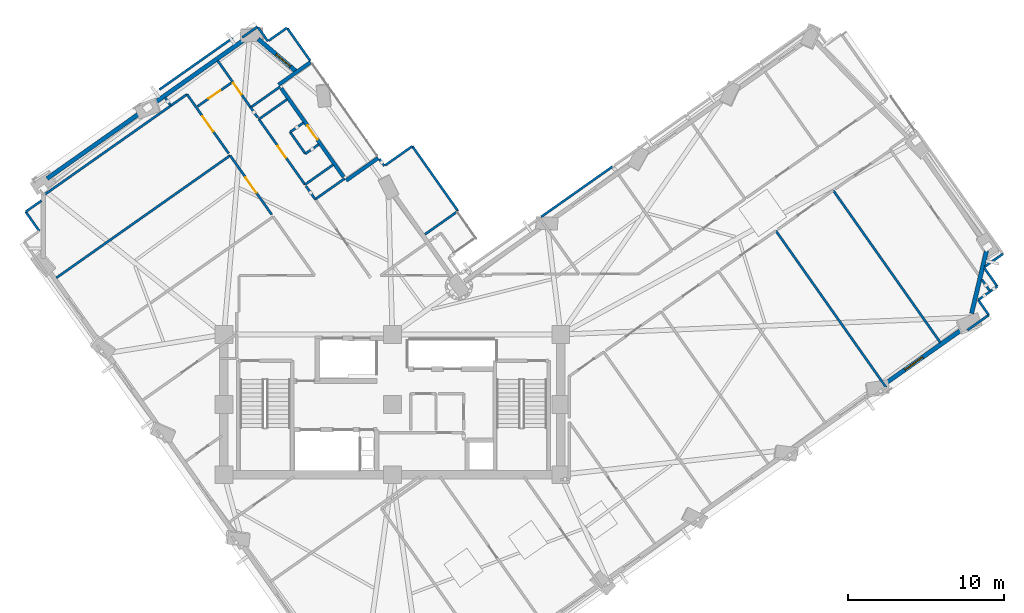
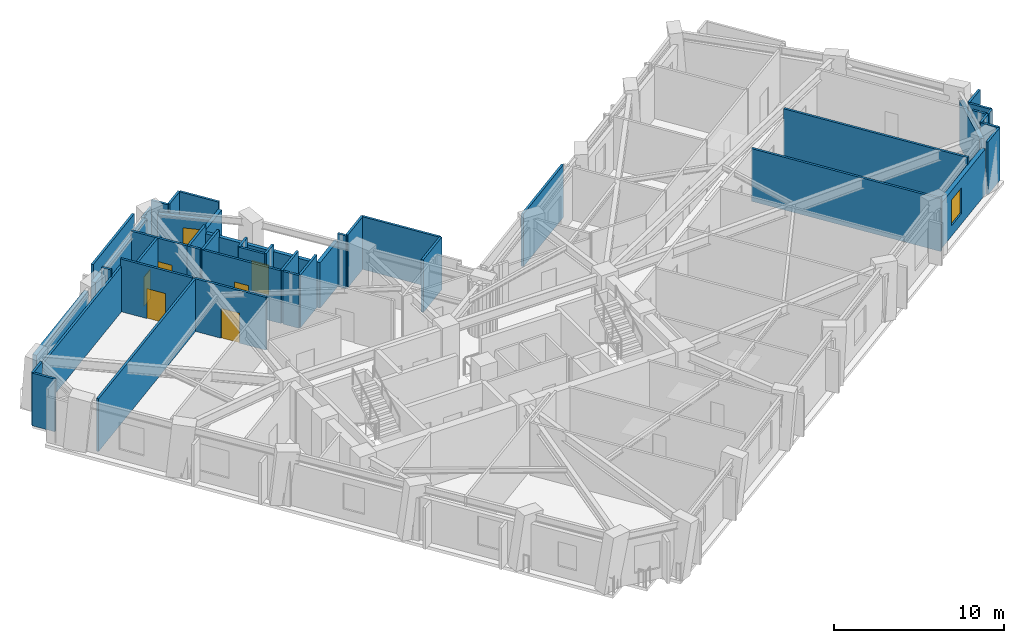
# One storey, part 7 of 13: 46 walls, 6 doors, 2 windows, 8 openings.
"""IFC4 building model written with IfcOpenShell, lengths in metres."""

from ifc_helpers import new_model, si_unit, direction, frame, frame_2d, origin, place, context, subcontext, project, spatial, rectangle, extrude, material, layer, layer_set, type_object, element, fill, save


model = new_model("IFC4")

# Units and contexts
model_context = context("Model", 3, precision=1e-05, world=origin(), true_north=direction((0.0, 1.0)))
body_context = subcontext(model_context, "Body", "Model", "MODEL_VIEW")
ifc_project = project(units=[si_unit("LENGTHUNIT", "METRE"), si_unit("AREAUNIT", "SQUARE_METRE"), si_unit("VOLUMEUNIT", "CUBIC_METRE"), si_unit("PLANEANGLEUNIT", "RADIAN"), si_unit("MASSUNIT", "GRAM", prefix="KILO")], contexts=[model_context])

# Site, building, storey
site_placement = place(None, origin())
site = spatial("IfcSite", under=ifc_project, at=site_placement, CompositionType="ELEMENT")
building_placement = place(site_placement, origin())
building = spatial("IfcBuilding", under=site, at=building_placement, Name="Gaonmaruhae Medical Tower", CompositionType="ELEMENT")
storey_placement = place(building_placement, frame((0.0, 0.0, 173.800048828125)))
storey = spatial("IfcBuildingStorey", under=building, at=storey_placement, Name="L41", CompositionType="ELEMENT", Elevation=173.800048828125)

# Wall, opening, door
ifc_material_1 = material(Name="Precast concrete C45/55", Category="concrete")
ifc_layer_1 = layer(ifc_material_1, 0.239990234375)
ifc_layer_set_1 = layer_set([ifc_layer_1], Name="Precast concrete C45/55")
wall_type_1 = type_object("IfcWallType", Name="EW-240 Ribbon & Shelter Insulated Precast Wall", PredefinedType="SOLIDWALL", material=ifc_layer_set_1)
wall_1_placement = place(storey_placement, frame((17.669921875, 32.59033203125, 0.0), z_axis=(0.0, 0.0, 1.0), x_axis=(0.57573667461, -0.817635176292, 0.0)))
wall_1 = element("IfcWall", 1, at=wall_1_placement, inside=storey, type_object=wall_type_1, Name="L41 Recessed Terrace Enclosure Wall TERB", PredefinedType="SOLIDWALL", context=body_context, shape_type="SweptSolid", body=[
    extrude(rectangle(XDim=6.9599609375, YDim=0.239990234375, at=frame_2d((3.47998046875, 0.0))), origin(), (0.0, 0.0, 1.0), 3.264892578125),
])
opening_1_placement = place(wall_1_placement, frame((2.929931640625, 0.0, 0.0)))
opening_1 = element("IfcOpeningElement", 2, at=opening_1_placement, cuts=wall_1, Name="Opening TD-01", PredefinedType="OPENING", context=body_context, shape_type="SweptSolid", body=[
    extrude(rectangle(XDim=1.10009765625, YDim=2.14990234375, at=frame_2d((0.550048828125, 1.074951171875))), frame((0.0, 0.1298828125, 0.0), z_axis=(0.0, -1.0, 0.0), x_axis=(1.0, 0.0, 0.0)), (0.0, 0.0, 1.0), 0.260009765625),
])
ifc_material_2 = material(Name="Anodised aluminium and toughened safety glass", Category="aluminium")
door_type_1 = type_object("IfcDoorType", Name="TD-01 Terrace & Sky Garden Glazed Door 1100x2150", OperationType="NOTDEFINED", PredefinedType="DOOR", material=ifc_material_2)
door_1_placement = place(opening_1_placement, origin())
door_1 = element("IfcDoor", 3, at=door_1_placement, inside=storey, type_object=door_type_1, Name="L41 Outdoor Terrace Access Door SLB-L41-TER", OperationType="SINGLE_SWING_LEFT", OverallHeight=2.14990234375, OverallWidth=1.10009765625, PredefinedType="DOOR", context=body_context, shape_type="SweptSolid", body=[
    extrude(rectangle(XDim=1.10009765625, YDim=2.14990234375, at=frame_2d((0.550048828125, 1.074951171875))), frame((0.0, 0.02490234375, 0.0), z_axis=(0.0, -1.0, 0.0), x_axis=(1.0, 0.0, 0.0)), (0.0, 0.0, 1.0), 0.050048828125),
])
fill(opening_1, door_1)

# Walls
for number, where, z_axis, x_axis, name in (
    (4, (21.838134765625, 26.670654296875, 0.0), (0.0, 0.0, 1.0), (0.817627652567, 0.575747359314, 0.0), "L41 Recessed Terrace Enclosure Wall TERL"),
    (5, (19.552978515625, 34.2587890625, 0.0), (0.0, 0.0, 1.0), (-0.817627652567, -0.575747359314, 0.0), "L41 Recessed Terrace Enclosure Wall TERR"),
):
    element("IfcWall", number, at=place(storey_placement, frame(where, z_axis=z_axis, x_axis=x_axis)), inside=storey, type_object=wall_type_1, Name=name, PredefinedType="SOLIDWALL", context=body_context, shape_type="SweptSolid", body=[
        extrude(rectangle(XDim=2.500244140625, YDim=0.239990234375, at=frame_2d((1.25, 0.0))), origin(), (0.0, 0.0, 1.0), 3.264892578125),
    ])

# Wall, opening, window
ifc_layer_2 = layer(ifc_material_1, 0.280029296875)
ifc_layer_set_2 = layer_set([ifc_layer_2], Name="Precast concrete C45/55")
wall_type_2 = type_object("IfcWallType", Name="EW-280 Upper Precast Masonry-Frame Facade Wall", PredefinedType="SOLIDWALL", material=ifc_layer_set_2)
wall_2_placement = place(storey_placement, frame((61.54638671875, 17.265380859375, 0.0), z_axis=(0.0, 0.0, 1.0), x_axis=(-0.817633903832, -0.575738481695, 0.0)))
wall_2 = element("IfcWall", 6, at=wall_2_placement, inside=storey, type_object=wall_type_2, Name="L41 Precast Masonry-Frame Wall S06-S07", PredefinedType="SOLIDWALL", context=body_context, shape_type="SweptSolid", body=[
    extrude(rectangle(XDim=6.242431640625, YDim=0.280029296875, at=frame_2d((3.12109375, 0.0))), origin(), (0.0, 0.0, 1.0), 3.264892578125),
])
opening_2_placement = place(wall_2_placement, frame((3.342529296875, 0.0, 0.75)))
opening_2 = element("IfcOpeningElement", 7, at=opening_2_placement, cuts=wall_2, Name="Opening WN-03", PredefinedType="OPENING", context=body_context, shape_type="SweptSolid", body=[
    extrude(rectangle(XDim=1.39990234375, YDim=1.85009765625, at=frame_2d((0.699951171875, 0.925048828125))), frame((0.0, 0.14990234375, 0.0), z_axis=(0.0, -1.0, 0.0), x_axis=(1.0, 0.0, 0.0)), (0.0, 0.0, 1.0), 0.300048828125),
])
ifc_material_3 = material(Name="Anodised aluminium and Low-E double glazing", Category="aluminium")
window_type_1 = type_object("IfcWindowType", Name="WN-03 Isolation Ward Punched Window 1400x1850", PartitioningType="SINGLE_PANEL", PredefinedType="WINDOW", material=ifc_material_3)
window_1_placement = place(opening_2_placement, origin())
window_1 = element("IfcWindow", 8, at=window_1_placement, inside=storey, type_object=window_type_1, Name="L41 Modular Facade Window S06", OverallHeight=1.85009765625, OverallWidth=1.39990234375, PartitioningType="SINGLE_PANEL", PredefinedType="WINDOW", context=body_context, shape_type="SweptSolid", body=[
    extrude(rectangle(XDim=1.39990234375, YDim=1.85009765625, at=frame_2d((0.699951171875, 0.925048828125))), frame((0.0, 0.030029296875, 0.0), z_axis=(0.0, -1.0, 0.0), x_axis=(1.0, 0.0, 0.0)), (0.0, 0.0, 1.0), 0.06005859375),
])
fill(opening_2, window_1)

# Wall
wall_3_placement = place(storey_placement, frame((62.913330078125, 22.1806640625, 0.0), z_axis=(0.0, 0.0, 1.0), x_axis=(-0.231822241408, -0.972758165419, 0.0)))
element("IfcWall", 9, at=wall_3_placement, inside=storey, type_object=wall_type_2, Name="L41 Precast Masonry-Frame Wall S07-E01", PredefinedType="SOLIDWALL", context=body_context, shape_type="SweptSolid", body=[
    extrude(rectangle(XDim=4.145263671875, YDim=0.280029296875, at=frame_2d((2.07275390625, 0.0))), origin(), (0.0, 0.0, 1.0), 3.264892578125),
])

# Wall, opening, window
wall_4_placement = place(storey_placement, frame((16.194091796875, 35.749755859375, 0.0), z_axis=(0.0, 0.0, 1.0), x_axis=(0.760757212312, -0.649036565931, 0.0)))
wall_4 = element("IfcWall", 10, at=wall_4_placement, inside=storey, type_object=wall_type_2, Name="L41 Precast Masonry-Frame Wall NE02-N01", PredefinedType="SOLIDWALL", context=body_context, shape_type="SweptSolid", body=[
    extrude(rectangle(XDim=3.234130859375, YDim=0.280029296875, at=frame_2d((1.6171875, 0.0))), origin(), (0.0, 0.0, 1.0), 3.244873046875),
])
opening_3_placement = place(wall_4_placement, frame((1.512451171875, 0.0, 0.75)))
opening_3 = element("IfcOpeningElement", 11, at=opening_3_placement, cuts=wall_4, Name="Opening WN-05", PredefinedType="OPENING", context=body_context, shape_type="SweptSolid", body=[
    extrude(rectangle(XDim=1.199951171875, YDim=1.75, at=frame_2d((0.60009765625, 0.875))), frame((0.0, 0.14990234375, 0.0), z_axis=(0.0, -1.0, 0.0), x_axis=(1.0, 0.0, 0.0)), (0.0, 0.0, 1.0), 0.300048828125),
])
window_type_2 = type_object("IfcWindowType", Name="WN-05 Support & Staff Punched Window 1200x1750", PartitioningType="SINGLE_PANEL", PredefinedType="WINDOW", material=ifc_material_3)
window_2_placement = place(opening_3_placement, origin())
window_2 = element("IfcWindow", 12, at=window_2_placement, inside=storey, type_object=window_type_2, Name="L41 Modular Facade Window NE02", OverallHeight=1.75, OverallWidth=1.199951171875, PartitioningType="SINGLE_PANEL", PredefinedType="WINDOW", context=body_context, shape_type="SweptSolid", body=[
    extrude(rectangle(XDim=1.199951171875, YDim=1.75, at=frame_2d((0.60009765625, 0.875))), frame((0.0, 0.030029296875, 0.0), z_axis=(0.0, -1.0, 0.0), x_axis=(1.0, 0.0, 0.0)), (0.0, 0.0, 1.0), 0.06005859375),
])
fill(opening_3, window_2)

# Walls
wall_5_placement = place(storey_placement, frame((9.374755859375, 31.530517578125, 0.0), z_axis=(0.0, 0.0, 1.0), x_axis=(0.817661605139, 0.575699139726, 0.0)))
element("IfcWall", 13, at=wall_5_placement, inside=storey, type_object=wall_type_2, Name="L41 Precast Masonry-Frame Wall N01-N02", PredefinedType="SOLIDWALL", context=body_context, shape_type="SweptSolid", body=[
    extrude(rectangle(XDim=7.23046875, YDim=0.280029296875, at=frame_2d((3.615234375, 0.0))), origin(), (0.0, 0.0, 1.0), 3.264892578125),
])
wall_6_placement = place(storey_placement, frame((2.650146484375, 26.79541015625, 0.0), z_axis=(0.0, 0.0, 1.0), x_axis=(0.817644825683, 0.575722970737, 0.0)))
element("IfcWall", 14, at=wall_6_placement, inside=storey, type_object=wall_type_2, Name="L41 Precast Masonry-Frame Wall N02-N03", PredefinedType="SOLIDWALL", context=body_context, shape_type="SweptSolid", body=[
    extrude(rectangle(XDim=7.27001953125, YDim=0.280029296875, at=frame_2d((3.635009765625, 0.0))), origin(), (0.0, 0.0, 1.0), 3.264892578125),
])
ifc_material_4 = material(Name="Gypsum board partition", Category="gypsum")
ifc_layer_3 = layer(ifc_material_4, 0.14990234375)
ifc_layer_set_3 = layer_set([ifc_layer_3], Name="Gypsum board partition")
wall_type_3 = type_object("IfcWallType", Name="PW-150 Rated Clinical Corridor Partition", PredefinedType="PARTITIONING", material=ifc_layer_set_3)
wall_7_placement = place(storey_placement, frame((49.39892578125, 23.448974609375, 0.0), z_axis=(0.0, 0.0, 1.0), x_axis=(0.575704672979, -0.817657709259, 0.0)))
element("IfcWall", 15, at=wall_7_placement, inside=storey, type_object=wall_type_3, Name="L41 Interior Partition L41-SUP09-27", PredefinedType="PARTITIONING", context=body_context, shape_type="SweptSolid", body=[
    extrude(rectangle(XDim=12.279052734375, YDim=0.14990234375, at=frame_2d((6.1396484375, 0.0))), origin(), (0.0, 0.0, 1.0), 3.780029296875),
])
wall_8_placement = place(storey_placement, frame((53.077880859375, 26.0400390625, 0.0), z_axis=(0.0, 0.0, 1.0), x_axis=(0.575696572392, -0.817663412742, 0.0)))
element("IfcWall", 16, at=wall_8_placement, inside=storey, type_object=wall_type_3, Name="L41 Interior Partition L41-SUP10-30", PredefinedType="PARTITIONING", context=body_context, shape_type="SweptSolid", body=[
    extrude(rectangle(XDim=11.935302734375, YDim=0.14990234375, at=frame_2d((5.9677734375, 0.0))), origin(), (0.0, 0.0, 1.0), 3.780029296875),
])
wall_9_placement = place(storey_placement, frame((63.05908203125, 18.049072265625, 0.0), z_axis=(0.0, 0.0, 1.0), x_axis=(-0.817536593358, -0.575876652176, 0.0)))
element("IfcWall", 17, at=wall_9_placement, inside=storey, type_object=wall_type_3, Name="L41 Interior Partition L41-SUP11-31", PredefinedType="PARTITIONING", context=body_context, shape_type="SweptSolid", body=[
    extrude(rectangle(XDim=1.688232421875, YDim=0.14990234375, at=frame_2d((0.84423828125, 0.0))), origin(), (0.0, 0.0, 1.0), 3.780029296875),
])
wall_10_placement = place(storey_placement, frame((62.593994140625, 20.342041015625, 0.0), z_axis=(0.0, 0.0, 1.0), x_axis=(0.575537387279, -0.817775467866, 0.0)))
element("IfcWall", 18, at=wall_10_placement, inside=storey, type_object=wall_type_3, Name="L41 Interior Partition L41-SUP11-34", PredefinedType="PARTITIONING", context=body_context, shape_type="SweptSolid", body=[
    extrude(rectangle(XDim=0.96240234375, YDim=0.14990234375, at=frame_2d((0.481201171875, 0.0))), origin(), (0.0, 0.0, 1.0), 3.780029296875),
])
wall_11_placement = place(storey_placement, frame((63.14794921875, 19.554931640625, 0.0), z_axis=(0.0, 0.0, 1.0), x_axis=(-0.817887878313, -0.57537763122, 0.0)))
element("IfcWall", 19, at=wall_11_placement, inside=storey, type_object=wall_type_3, Name="L41 Interior Partition L41-SUP11-35", PredefinedType="PARTITIONING", context=body_context, shape_type="SweptSolid", body=[
    extrude(rectangle(XDim=0.940185546875, YDim=0.14990234375, at=frame_2d((0.47021484375, 0.0))), origin(), (0.0, 0.0, 1.0), 3.780029296875),
])
wall_12_placement = place(storey_placement, frame((62.37890625, 19.013916015625, 0.0), z_axis=(0.0, 0.0, 1.0), x_axis=(0.576179669195, -0.817323062691, 0.0)))
element("IfcWall", 20, at=wall_12_placement, inside=storey, type_object=wall_type_3, Name="L41 Interior Partition L41-SUP11-36", PredefinedType="PARTITIONING", context=body_context, shape_type="SweptSolid", body=[
    extrude(rectangle(XDim=1.180419921875, YDim=0.14990234375, at=frame_2d((0.59033203125, 0.0))), origin(), (0.0, 0.0, 1.0), 3.780029296875),
])
wall_13_placement = place(storey_placement, frame((3.2470703125, 20.427978515625, 0.0), z_axis=(0.0, 0.0, 1.0), x_axis=(0.817649087701, 0.575716917749, 0.0)))
element("IfcWall", 21, at=wall_13_placement, inside=storey, type_object=wall_type_3, Name="L41 Interior Partition L41-WOF16-51", PredefinedType="PARTITIONING", context=body_context, shape_type="SweptSolid", body=[
    extrude(rectangle(XDim=13.63525390625, YDim=0.14990234375, at=frame_2d((6.817626953125, 0.0))), origin(), (0.0, 0.0, 1.0), 3.780029296875),
])

# Wall, opening, door
wall_14_placement = place(storey_placement, frame((14.39599609375, 28.278076171875, 0.0), z_axis=(0.0, 0.0, 1.0), x_axis=(0.575625036634, -0.817713774618, 0.0)))
wall_14 = element("IfcWall", 22, at=wall_14_placement, inside=storey, type_object=wall_type_3, Name="L41 Interior Partition L41-WOF16-52", PredefinedType="PARTITIONING", context=body_context, shape_type="SweptSolid", body=[
    extrude(rectangle(XDim=4.639892578125, YDim=0.14990234375, at=frame_2d((2.31982421875, 0.0))), origin(), (0.0, 0.0, 1.0), 3.780029296875),
])
opening_4_placement = place(wall_14_placement, frame((1.719970703125, 0.0, 0.0)))
opening_4 = element("IfcOpeningElement", 23, at=opening_4_placement, cuts=wall_14, Name="Opening CD-02", PredefinedType="OPENING", context=body_context, shape_type="SweptSolid", body=[
    extrude(rectangle(XDim=1.199951171875, YDim=2.14990234375, at=frame_2d((0.60009765625, 1.074951171875))), frame((0.0, 0.0849609375, 0.0), z_axis=(0.0, -1.0, 0.0), x_axis=(1.0, 0.0, 0.0)), (0.0, 0.0, 1.0), 0.169921875),
])
ifc_material_5 = material(Name="Antimicrobial laminate timber fire door", Category="wood")
door_type_2 = type_object("IfcDoorType", Name="CD-02 Clinical Treatment & Procedure Door 1200x2150", OperationType="NOTDEFINED", PredefinedType="DOOR", material=ifc_material_5)
door_2_placement = place(opening_4_placement, origin())
door_2 = element("IfcDoor", 24, at=door_2_placement, inside=storey, type_object=door_type_2, Name="L41 Ward Physician Reporting Office Door", OperationType="SINGLE_SWING_RIGHT", OverallHeight=2.14990234375, OverallWidth=1.199951171875, PredefinedType="DOOR", context=body_context, shape_type="SweptSolid", body=[
    extrude(rectangle(XDim=1.199951171875, YDim=2.14990234375, at=frame_2d((0.60009765625, 1.074951171875))), frame((0.0, 0.02490234375, 0.0), z_axis=(0.0, -1.0, 0.0), x_axis=(1.0, 0.0, 0.0)), (0.0, 0.0, 1.0), 0.050048828125),
])
fill(opening_4, door_2)

# Wall
wall_15_placement = place(storey_placement, frame((2.52490234375, 25.7900390625, 0.0), z_axis=(0.0, 0.0, 1.0), x_axis=(0.817633687165, 0.575738789394, 0.0)))
element("IfcWall", 25, at=wall_15_placement, inside=storey, type_object=wall_type_3, Name="L41 Interior Partition L41-WOF17-53", PredefinedType="PARTITIONING", context=body_context, shape_type="SweptSolid", body=[
    extrude(rectangle(XDim=11.138427734375, YDim=0.14990234375, at=frame_2d((5.5693359375, 0.0))), origin(), (0.0, 0.0, 1.0), 3.264892578125),
])

# Wall, opening, door
wall_16_placement = place(storey_placement, frame((11.632080078125, 32.202880859375, 0.0), z_axis=(0.0, 0.0, 1.0), x_axis=(0.575790507785, -0.817597267085, 0.0)))
wall_16 = element("IfcWall", 26, at=wall_16_placement, inside=storey, type_object=wall_type_3, Name="L41 Interior Partition L41-WOF17-54", PredefinedType="PARTITIONING", context=body_context, shape_type="SweptSolid", body=[
    extrude(rectangle(XDim=4.640380859375, YDim=0.14990234375, at=frame_2d((2.3203125, 0.0))), origin(), (0.0, 0.0, 1.0), 3.780029296875),
])
opening_5_placement = place(wall_16_placement, frame((1.72021484375, 0.0, 0.0)))
opening_5 = element("IfcOpeningElement", 27, at=opening_5_placement, cuts=wall_16, Name="Opening CD-02", PredefinedType="OPENING", context=body_context, shape_type="SweptSolid", body=[
    extrude(rectangle(XDim=1.199951171875, YDim=2.14990234375, at=frame_2d((0.60009765625, 1.074951171875))), frame((0.0, 0.0849609375, 0.0), z_axis=(0.0, -1.0, 0.0), x_axis=(1.0, 0.0, 0.0)), (0.0, 0.0, 1.0), 0.169921875),
])
door_3_placement = place(opening_5_placement, origin())
door_3 = element("IfcDoor", 28, at=door_3_placement, inside=storey, type_object=door_type_2, Name="L41 Ward Physician Reporting Office Door", OperationType="SINGLE_SWING_RIGHT", OverallHeight=2.14990234375, OverallWidth=1.199951171875, PredefinedType="DOOR", context=body_context, shape_type="SweptSolid", body=[
    extrude(rectangle(XDim=1.199951171875, YDim=2.14990234375, at=frame_2d((0.60009765625, 1.074951171875))), frame((0.0, 0.02490234375, 0.0), z_axis=(0.0, -1.0, 0.0), x_axis=(1.0, 0.0, 0.0)), (0.0, 0.0, 1.0), 0.050048828125),
])
fill(opening_5, door_3)

# Walls
wall_17_placement = place(storey_placement, frame((2.14501953125, 23.443115234375, 0.0), z_axis=(0.0, 0.0, 1.0), x_axis=(-0.575372446457, 0.817891525728, 0.0)))
element("IfcWall", 29, at=wall_17_placement, inside=storey, type_object=wall_type_3, Name="L41 Interior Partition L41-WOF17-57", PredefinedType="PARTITIONING", context=body_context, shape_type="SweptSolid", body=[
    extrude(rectangle(XDim=1.5, YDim=0.14990234375, at=frame_2d((0.75, 0.0))), origin(), (0.0, 0.0, 1.0), 3.780029296875),
])
wall_18_placement = place(storey_placement, frame((1.281982421875, 24.669921875, 0.0), z_axis=(0.0, 0.0, 1.0), x_axis=(0.817421231172, 0.576040389929, 0.0)))
element("IfcWall", 30, at=wall_18_placement, inside=storey, type_object=wall_type_3, Name="L41 Interior Partition L41-WOF17-58", PredefinedType="PARTITIONING", context=body_context, shape_type="SweptSolid", body=[
    extrude(rectangle(XDim=1.238037109375, YDim=0.14990234375, at=frame_2d((0.619140625, 0.0))), origin(), (0.0, 0.0, 1.0), 3.780029296875),
])
wall_19_placement = place(storey_placement, frame((34.344970703125, 24.345947265625, 0.0), z_axis=(0.0, 0.0, 1.0), x_axis=(0.817638200952, 0.5757323791, 0.0)))
element("IfcWall", 31, at=wall_19_placement, inside=storey, type_object=wall_type_3, Name="L41 Interior Partition L41-IE03-77", PredefinedType="PARTITIONING", context=body_context, shape_type="SweptSolid", body=[
    extrude(rectangle(XDim=5.617431640625, YDim=0.14990234375, at=frame_2d((2.80859375, 0.0))), origin(), (0.0, 0.0, 1.0), 3.780029296875),
])
wall_20_placement = place(storey_placement, frame((19.85693359375, 25.471923828125, 0.0), z_axis=(0.0, 0.0, 1.0), x_axis=(0.817670092485, 0.575687085017, 0.0)))
element("IfcWall", 32, at=wall_20_placement, inside=storey, type_object=wall_type_3, Name="L41 Interior Partition L41-IN01-98", PredefinedType="PARTITIONING", context=body_context, shape_type="SweptSolid", body=[
    extrude(rectangle(XDim=2.310302734375, YDim=0.14990234375, at=frame_2d((1.1552734375, 0.0))), origin(), (0.0, 0.0, 1.0), 3.780029296875),
])
wall_21_placement = place(storey_placement, frame((23.965087890625, 28.06298828125, 0.0), z_axis=(0.0, 0.0, 1.0), x_axis=(0.575679010769, -0.817675777164, 0.0)))
element("IfcWall", 33, at=wall_21_placement, inside=storey, type_object=wall_type_3, Name="L41 Interior Partition L41-IN01-99", PredefinedType="PARTITIONING", context=body_context, shape_type="SweptSolid", body=[
    extrude(rectangle(XDim=0.553955078125, YDim=0.14990234375, at=frame_2d((0.27685546875, 0.0))), origin(), (0.0, 0.0, 1.0), 3.780029296875),
])
wall_22_placement = place(storey_placement, frame((16.241943359375, 30.60595703125, 0.0), z_axis=(0.0, 0.0, 1.0), x_axis=(0.817800657238, 0.575501594281, 0.0)))
element("IfcWall", 34, at=wall_22_placement, inside=storey, type_object=wall_type_3, Name="L41 Interior Partition L41-IN02-100", PredefinedType="PARTITIONING", context=body_context, shape_type="SweptSolid", body=[
    extrude(rectangle(XDim=2.2158203125, YDim=0.14990234375, at=frame_2d((1.10791015625, 0.0))), origin(), (0.0, 0.0, 1.0), 3.780029296875),
])
wall_23_placement = place(storey_placement, frame((19.10595703125, 30.385009765625, 0.0), z_axis=(0.0, 0.0, 1.0), x_axis=(-0.817673191609, -0.575682683189, 0.0)))
element("IfcWall", 35, at=wall_23_placement, inside=storey, type_object=wall_type_3, Name="L41 Interior Partition L41-IN02-101", PredefinedType="PARTITIONING", context=body_context, shape_type="SweptSolid", body=[
    extrude(rectangle(XDim=1.05419921875, YDim=0.14990234375, at=frame_2d((0.527099609375, 0.0))), origin(), (0.0, 0.0, 1.0), 3.780029296875),
])
wall_24_placement = place(storey_placement, frame((18.243896484375, 29.778076171875, 0.0), z_axis=(0.0, 0.0, 1.0), x_axis=(0.575792138405, -0.817596118723, 0.0)))
element("IfcWall", 36, at=wall_24_placement, inside=storey, type_object=wall_type_3, Name="L41 Interior Partition L41-IN02-102", PredefinedType="PARTITIONING", context=body_context, shape_type="SweptSolid", body=[
    extrude(rectangle(XDim=1.7001953125, YDim=0.14990234375, at=frame_2d((0.85009765625, 0.0))), origin(), (0.0, 0.0, 1.0), 3.780029296875),
])
wall_25_placement = place(storey_placement, frame((19.222900390625, 28.387939453125, 0.0), z_axis=(0.0, 0.0, 1.0), x_axis=(0.817128165761, 0.576456035375, 0.0)))
element("IfcWall", 37, at=wall_25_placement, inside=storey, type_object=wall_type_3, Name="L41 Interior Partition L41-IN02-103", PredefinedType="PARTITIONING", context=body_context, shape_type="SweptSolid", body=[
    extrude(rectangle(XDim=1.054931640625, YDim=0.14990234375, at=frame_2d((0.52734375, 0.0))), origin(), (0.0, 0.0, 1.0), 3.780029296875),
])
wall_26_placement = place(storey_placement, frame((21.007080078125, 27.68701171875, 0.0), z_axis=(0.0, 0.0, 1.0), x_axis=(-0.817447055708, -0.576003742274, 0.0)))
element("IfcWall", 38, at=wall_26_placement, inside=storey, type_object=wall_type_3, Name="L41 Interior Partition L41-IN02-104", PredefinedType="PARTITIONING", context=body_context, shape_type="SweptSolid", body=[
    extrude(rectangle(XDim=2.215576171875, YDim=0.14990234375, at=frame_2d((1.10791015625, 0.0))), origin(), (0.0, 0.0, 1.0), 3.780029296875),
])

# Wall, opening, door
wall_27_placement = place(storey_placement, frame((19.196044921875, 26.410888671875, 0.0), z_axis=(0.0, 0.0, 1.0), x_axis=(-0.575756218834, 0.817621413903, 0.0)))
wall_27 = element("IfcWall", 39, at=wall_27_placement, inside=storey, type_object=wall_type_3, Name="L41 Interior Partition L41-IN02-105", PredefinedType="PARTITIONING", context=body_context, shape_type="SweptSolid", body=[
    extrude(rectangle(XDim=5.130859375, YDim=0.14990234375, at=frame_2d((2.5654296875, 0.0))), origin(), (0.0, 0.0, 1.0), 3.780029296875),
])
opening_6_placement = place(wall_27_placement, frame((2.10546875, 0.0, 0.0)))
opening_6 = element("IfcOpeningElement", 40, at=opening_6_placement, cuts=wall_27, Name="Opening UD-01", PredefinedType="OPENING", context=body_context, shape_type="SweptSolid", body=[
    extrude(rectangle(XDim=0.919921875, YDim=2.10009765625, at=frame_2d((0.4599609375, 1.050048828125))), frame((0.0, 0.0849609375, 0.0), z_axis=(0.0, -1.0, 0.0), x_axis=(1.0, 0.0, 0.0)), (0.0, 0.0, 1.0), 0.169921875),
])
ifc_material_6 = material(Name="Powder-coated steel utility door", Category="steel")
door_type_3 = type_object("IfcDoorType", Name="UD-01 Toilet, Utility & Housekeeping Door 920x2100", OperationType="NOTDEFINED", PredefinedType="DOOR", material=ifc_material_6)
door_4_placement = place(opening_6_placement, origin())
door_4 = element("IfcDoor", 41, at=door_4_placement, inside=storey, type_object=door_type_3, Name="L41 Ward Nutrition Pantry Door", OperationType="SINGLE_SWING_LEFT", OverallHeight=2.10009765625, OverallWidth=0.919921875, PredefinedType="DOOR", context=body_context, shape_type="SweptSolid", body=[
    extrude(rectangle(XDim=0.919921875, YDim=2.10009765625, at=frame_2d((0.4599609375, 1.050048828125))), frame((0.0, 0.02490234375, 0.0), z_axis=(0.0, -1.0, 0.0), x_axis=(1.0, 0.0, 0.0)), (0.0, 0.0, 1.0), 0.050048828125),
])
fill(opening_6, door_4)

# Wall
wall_28_placement = place(storey_placement, frame((17.60107421875, 32.68896484375, 0.0), z_axis=(0.0, 0.0, 1.0), x_axis=(-0.817670092485, -0.575687085017, 0.0)))
element("IfcWall", 42, at=wall_28_placement, inside=storey, type_object=wall_type_3, Name="L41 Interior Partition L41-IN03-106", PredefinedType="PARTITIONING", context=body_context, shape_type="SweptSolid", body=[
    extrude(rectangle(XDim=2.310302734375, YDim=0.14990234375, at=frame_2d((1.1552734375, 0.0))), origin(), (0.0, 0.0, 1.0), 3.780029296875),
])

# Wall, opening, door
wall_29_placement = place(storey_placement, frame((15.68310546875, 31.39990234375, 0.0), z_axis=(0.0, 0.0, 1.0), x_axis=(-0.575807168993, 0.817585533223, 0.0)))
wall_29 = element("IfcWall", 43, at=wall_29_placement, inside=storey, type_object=wall_type_3, Name="L41 Interior Partition L41-IN03-107", PredefinedType="PARTITIONING", context=body_context, shape_type="SweptSolid", body=[
    extrude(rectangle(XDim=3.623046875, YDim=0.14990234375, at=frame_2d((1.8115234375, 0.0))), origin(), (0.0, 0.0, 1.0), 3.780029296875),
])
opening_7_placement = place(wall_29_placement, frame((0.9658203125, 0.0, 0.0)))
opening_7 = element("IfcOpeningElement", 44, at=opening_7_placement, cuts=wall_29, Name="Opening UD-01", PredefinedType="OPENING", context=body_context, shape_type="SweptSolid", body=[
    extrude(rectangle(XDim=0.919921875, YDim=2.10009765625, at=frame_2d((0.4599609375, 1.050048828125))), frame((0.0, 0.0849609375, 0.0), z_axis=(0.0, -1.0, 0.0), x_axis=(1.0, 0.0, 0.0)), (0.0, 0.0, 1.0), 0.169921875),
])
door_5_placement = place(opening_7_placement, origin())
door_5 = element("IfcDoor", 45, at=door_5_placement, inside=storey, type_object=door_type_3, Name="L41 Public Visitor Toilet Door", OperationType="SINGLE_SWING_RIGHT", OverallHeight=2.10009765625, OverallWidth=0.919921875, PredefinedType="DOOR", context=body_context, shape_type="SweptSolid", body=[
    extrude(rectangle(XDim=0.919921875, YDim=2.10009765625, at=frame_2d((0.4599609375, 1.050048828125))), frame((0.0, 0.02490234375, 0.0), z_axis=(0.0, -1.0, 0.0), x_axis=(1.0, 0.0, 0.0)), (0.0, 0.0, 1.0), 0.050048828125),
])
fill(opening_7, door_5)

# Walls
wall_30_placement = place(storey_placement, frame((15.177001953125, 35.84912109375, 0.0), z_axis=(0.0, 0.0, 1.0), x_axis=(0.817990358768, 0.575231929714, 0.0)))
element("IfcWall", 46, at=wall_30_placement, inside=storey, type_object=wall_type_3, Name="L41 Interior Partition L41-IN03-108", PredefinedType="PARTITIONING", context=body_context, shape_type="SweptSolid", body=[
    extrude(rectangle(XDim=1.202880859375, YDim=0.14990234375, at=frame_2d((0.6015625, 0.0))), origin(), (0.0, 0.0, 1.0), 3.264892578125),
])
wall_31_placement = place(storey_placement, frame((16.18994140625, 36.5, 0.0), z_axis=(0.0, 0.0, 1.0), x_axis=(0.575415698036, -0.817861097286, 0.0)))
element("IfcWall", 47, at=wall_31_placement, inside=storey, type_object=wall_type_3, Name="L41 Interior Partition L41-IN03-109", PredefinedType="PARTITIONING", context=body_context, shape_type="SweptSolid", body=[
    extrude(rectangle(XDim=1.089599609375, YDim=0.14990234375, at=frame_2d((0.544921875, 0.0))), origin(), (0.0, 0.0, 1.0), 3.780029296875),
])
wall_32_placement = place(storey_placement, frame((16.85791015625, 35.637939453125, 0.0), z_axis=(0.0, 0.0, 1.0), x_axis=(0.817788798356, 0.57551844565, 0.0)))
element("IfcWall", 48, at=wall_32_placement, inside=storey, type_object=wall_type_3, Name="L41 Interior Partition L41-IN03-110", PredefinedType="PARTITIONING", context=body_context, shape_type="SweptSolid", body=[
    extrude(rectangle(XDim=1.44921875, YDim=0.14990234375, at=frame_2d((0.724609375, 0.0))), origin(), (0.0, 0.0, 1.0), 3.780029296875),
])
wall_33_placement = place(storey_placement, frame((18.072021484375, 36.430908203125, 0.0), z_axis=(0.0, 0.0, 1.0), x_axis=(0.57574788064, -0.817627285466, 0.0)))
element("IfcWall", 49, at=wall_33_placement, inside=storey, type_object=wall_type_3, Name="L41 Interior Partition L41-IN03-111", PredefinedType="PARTITIONING", context=body_context, shape_type="SweptSolid", body=[
    extrude(rectangle(XDim=2.54248046875, YDim=0.14990234375, at=frame_2d((1.271240234375, 0.0))), origin(), (0.0, 0.0, 1.0), 3.780029296875),
])

# Wall, opening, door
wall_34_placement = place(storey_placement, frame((14.4990234375, 32.9541015625, 0.0), z_axis=(0.0, 0.0, 1.0), x_axis=(-0.821074321589, -0.570821301658, 0.0)))
wall_34 = element("IfcWall", 50, at=wall_34_placement, inside=storey, type_object=wall_type_3, Name="L41 Interior Partition L41-RM03-112", PredefinedType="PARTITIONING", context=body_context, shape_type="SweptSolid", body=[
    extrude(rectangle(XDim=2.677001953125, YDim=0.14990234375, at=frame_2d((1.33837890625, 0.0))), origin(), (0.0, 0.0, 1.0), 3.780029296875),
])
opening_8_placement = place(wall_34_placement, frame((0.87841796875, 0.0, 0.0)))
opening_8 = element("IfcOpeningElement", 51, at=opening_8_placement, cuts=wall_34, Name="Opening UD-01", PredefinedType="OPENING", context=body_context, shape_type="SweptSolid", body=[
    extrude(rectangle(XDim=0.919921875, YDim=2.10009765625, at=frame_2d((0.4599609375, 1.050048828125))), frame((0.0, 0.0849609375, 0.0), z_axis=(0.0, -1.0, 0.0), x_axis=(1.0, 0.0, 0.0)), (0.0, 0.0, 1.0), 0.169921875),
])
door_6_placement = place(opening_8_placement, origin())
door_6 = element("IfcDoor", 52, at=door_6_placement, inside=storey, type_object=door_type_3, Name="L41 Biomedical Mobile Equipment Bay Door", OperationType="SINGLE_SWING_RIGHT", OverallHeight=2.10009765625, OverallWidth=0.919921875, PredefinedType="DOOR", context=body_context, shape_type="SweptSolid", body=[
    extrude(rectangle(XDim=0.919921875, YDim=2.10009765625, at=frame_2d((0.4599609375, 1.050048828125))), frame((0.0, 0.02490234375, 0.0), z_axis=(0.0, -1.0, 0.0), x_axis=(1.0, 0.0, 0.0)), (0.0, 0.0, 1.0), 0.050048828125),
])
fill(opening_8, door_6)

# Walls
wall_35_placement = place(storey_placement, frame((10.58203125, 31.488037109375, 0.0), z_axis=(0.0, 0.0, 1.0), x_axis=(-0.57559173151, 0.817737218559, 0.0)))
element("IfcWall", 53, at=wall_35_placement, inside=storey, type_object=wall_type_3, Name="L41 Interior Partition L41-RM03-113", PredefinedType="PARTITIONING", context=body_context, shape_type="SweptSolid", body=[
    extrude(rectangle(XDim=0.614990234375, YDim=0.14990234375, at=frame_2d((0.3076171875, 0.0))), origin(), (0.0, 0.0, 1.0), 3.780029296875),
])
wall_36_placement = place(storey_placement, frame((9.863037109375, 32.510009765625, 0.0), z_axis=(0.0, 0.0, 1.0), x_axis=(0.817598024739, 0.575789431948, 0.0)))
element("IfcWall", 54, at=wall_36_placement, inside=storey, type_object=wall_type_3, Name="L41 Interior Partition L41-RM03-114", PredefinedType="PARTITIONING", context=body_context, shape_type="SweptSolid", body=[
    extrude(rectangle(XDim=5.73974609375, YDim=0.14990234375, at=frame_2d((2.869873046875, 0.0))), origin(), (0.0, 0.0, 1.0), 3.780029296875),
])
wall_37_placement = place(storey_placement, frame((15.679931640625, 31.39794921875, 0.0), z_axis=(0.0, 0.0, 1.0), x_axis=(0.579337524754, -0.815087745223, 0.0)))
element("IfcWall", 55, at=wall_37_placement, inside=storey, type_object=wall_type_3, Name="L41 Interior Partition L41-RM03-115", PredefinedType="PARTITIONING", context=body_context, shape_type="SweptSolid", body=[
    extrude(rectangle(XDim=0.851318359375, YDim=0.14990234375, at=frame_2d((0.42578125, 0.0))), origin(), (0.0, 0.0, 1.0), 3.780029296875),
])
wall_38_placement = place(storey_placement, frame((19.264892578125, 26.31298828125, 0.0), z_axis=(0.0, 0.0, 1.0), x_axis=(0.57344642107, -0.819243066593, 0.0)))
element("IfcWall", 56, at=wall_38_placement, inside=storey, type_object=wall_type_3, Name="L41 Interior Partition L41-RM03-116", PredefinedType="PARTITIONING", context=body_context, shape_type="SweptSolid", body=[
    extrude(rectangle(XDim=1.029052734375, YDim=0.14990234375, at=frame_2d((0.5146484375, 0.0))), origin(), (0.0, 0.0, 1.0), 3.780029296875),
])
wall_39_placement = place(storey_placement, frame((26.08203125, 28.8759765625, 0.0), z_axis=(0.0, 0.0, 1.0), x_axis=(0.575780877136, -0.817604049357, 0.0)))
element("IfcWall", 57, at=wall_39_placement, inside=storey, type_object=wall_type_3, Name="L41 Interior Partition L41-RM04-117", PredefinedType="PARTITIONING", context=body_context, shape_type="SweptSolid", body=[
    extrude(rectangle(XDim=5.09033203125, YDim=0.14990234375, at=frame_2d((2.545166015625, 0.0))), origin(), (0.0, 0.0, 1.0), 3.780029296875),
])
wall_40_placement = place(storey_placement, frame((29.012939453125, 24.714111328125, 0.0), z_axis=(0.0, 0.0, 1.0), x_axis=(-0.817354310267, -0.576135341293, 0.0)))
element("IfcWall", 58, at=wall_40_placement, inside=storey, type_object=wall_type_3, Name="L41 Interior Partition L41-RM04-118", PredefinedType="PARTITIONING", context=body_context, shape_type="SweptSolid", body=[
    extrude(rectangle(XDim=2.590087890625, YDim=0.14990234375, at=frame_2d((1.294921875, 0.0))), origin(), (0.0, 0.0, 1.0), 3.780029296875),
])
wall_41_placement = place(storey_placement, frame((24.341064453125, 27.64990234375, 0.0), z_axis=(0.0, 0.0, 1.0), x_axis=(0.817596516853, 0.57579157308, 0.0)))
element("IfcWall", 59, at=wall_41_placement, inside=storey, type_object=wall_type_3, Name="L41 Interior Partition L41-RM04-119", PredefinedType="PARTITIONING", context=body_context, shape_type="SweptSolid", body=[
    extrude(rectangle(XDim=2.12939453125, YDim=0.14990234375, at=frame_2d((1.064697265625, 0.0))), origin(), (0.0, 0.0, 1.0), 3.780029296875),
])
wall_42_placement = place(storey_placement, frame((62.76708984375, 21.069091796875, 0.0), z_axis=(0.0, 0.0, 1.0), x_axis=(0.575472662643, -0.817821016207, 0.0)))
element("IfcWall", 60, at=wall_42_placement, inside=storey, type_object=wall_type_3, Name="L41 Interior Partition L41-RM05-120", PredefinedType="PARTITIONING", context=body_context, shape_type="SweptSolid", body=[
    extrude(rectangle(XDim=1.457763671875, YDim=0.14990234375, at=frame_2d((0.72900390625, 0.0))), origin(), (0.0, 0.0, 1.0), 3.780029296875),
])
wall_43_placement = place(storey_placement, frame((63.60595703125, 19.876953125, 0.0), z_axis=(0.0, 0.0, 1.0), x_axis=(-0.817743412221, -0.575582932138, 0.0)))
element("IfcWall", 61, at=wall_43_placement, inside=storey, type_object=wall_type_3, Name="L41 Interior Partition L41-RM05-121", PredefinedType="PARTITIONING", context=body_context, shape_type="SweptSolid", body=[
    extrude(rectangle(XDim=0.540283203125, YDim=0.14990234375, at=frame_2d((0.27001953125, 0.0))), origin(), (0.0, 0.0, 1.0), 3.780029296875),
])
wall_44_placement = place(storey_placement, frame((63.968994140625, 21.967041015625, 0.0), z_axis=(0.0, 0.0, 1.0), x_axis=(-0.817917834815, -0.575335046291, 0.0)))
element("IfcWall", 62, at=wall_44_placement, inside=storey, type_object=wall_type_3, Name="L41 Interior Partition L41-RM05-125", PredefinedType="PARTITIONING", context=body_context, shape_type="SweptSolid", body=[
    extrude(rectangle(XDim=1.451171875, YDim=0.14990234375, at=frame_2d((0.7255859375, 0.0))), origin(), (0.0, 0.0, 1.0), 3.780029296875),
])

save(model, "model.ifc")
